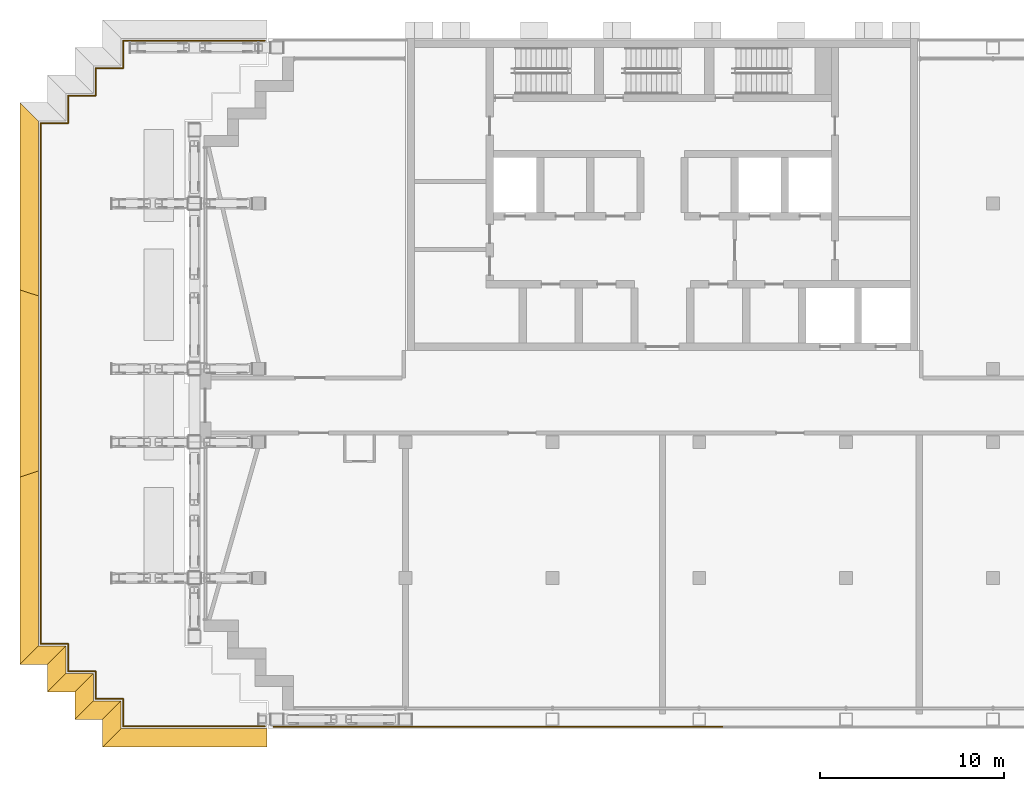
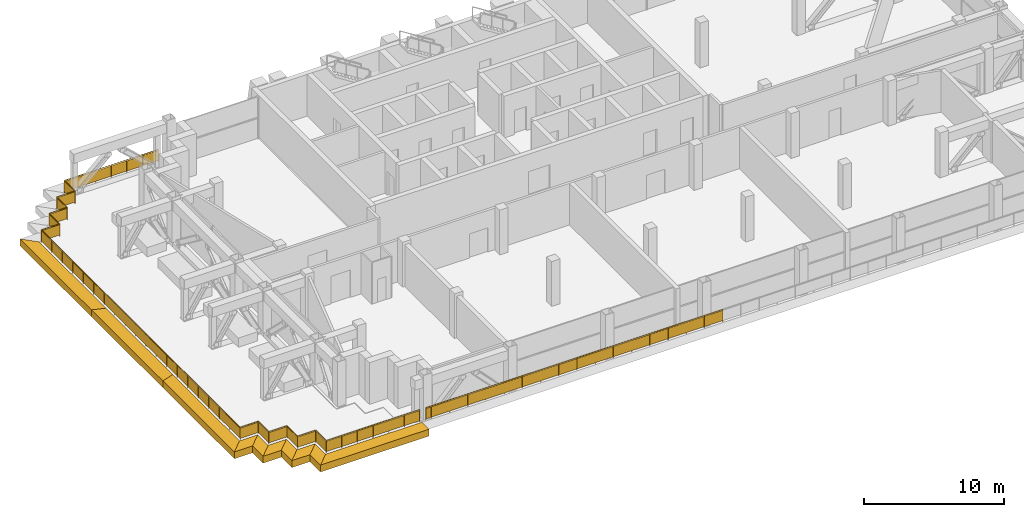
# One storey, part 18 of 21: 10 shading devices, 4 railings.
"""IFC4 building model written with IfcOpenShell, lengths in metres."""

from ifc_helpers import new_model, si_unit, direction, frame, origin, origin_2d, place, context, subcontext, project, spatial, polyline, rectangle, circle, outline, extrude, material, layer, layer_set, type_object, element, save


model = new_model("IFC4")

# Units and contexts
model_context = context("Model", 3, precision=1e-05, world=origin(), true_north=direction((0.0, 1.0)))
body_context = subcontext(model_context, "Body", "Model", "MODEL_VIEW")
ifc_project = project(units=[si_unit("LENGTHUNIT", "METRE"), si_unit("AREAUNIT", "SQUARE_METRE"), si_unit("VOLUMEUNIT", "CUBIC_METRE"), si_unit("PLANEANGLEUNIT", "RADIAN"), si_unit("MASSUNIT", "GRAM", prefix="KILO")], contexts=[model_context])

# Site, building, storey
site_placement = place(None, origin())
site = spatial("IfcSite", under=ifc_project, at=site_placement, CompositionType="ELEMENT")
building_placement = place(site_placement, origin())
building = spatial("IfcBuilding", under=site, at=building_placement, Name="Vidyagriha Tower", CompositionType="ELEMENT")
storey_placement = place(building_placement, frame((0.0, 0.0, 161.39990234375)))
storey = spatial("IfcBuildingStorey", under=building, at=storey_placement, Name="L41", CompositionType="ELEMENT", Elevation=161.39990234375)

# Shading devices
ifc_material_1 = material(Name="Precast concrete C40/50 with brick facing", Category="concrete")
ifc_layer = layer(ifc_material_1, 1.0)
ifc_layer_set = layer_set([ifc_layer], Name="Precast concrete C40/50 with brick facing")
shading_device_type = type_object("IfcShadingDeviceType", Name="Brick chhajja fascia 600", PredefinedType="USERDEFINED", material=ifc_layer_set)
shading_device_1_placement = place(storey_placement, frame((0.0, 0.0, -0.599853515625)))
element("IfcShadingDevice", 1, at=shading_device_1_placement, inside=storey, type_object=shading_device_type, Name="Chhajja fascia TR-B4-1 8", ObjectType="CHHAJJA", PredefinedType="USERDEFINED", context=body_context, shape_type="SweptSolid", body=[
    extrude(outline(polyline([(-34.0, 15.5), (-35.0, 16.5), (-35.0, 6.300048828125), (-34.0, 5.966796875), (-34.0, 15.5)])), origin(), (0.0, 0.0, 1.0), 0.599853515625),
])
shading_device_2_placement = place(storey_placement, frame((0.0, 0.0, -0.599853515625)))
element("IfcShadingDevice", 2, at=shading_device_2_placement, inside=storey, type_object=shading_device_type, Name="Chhajja fascia TR-B4-1 9", ObjectType="CHHAJJA", PredefinedType="USERDEFINED", context=body_context, shape_type="SweptSolid", body=[
    extrude(outline(polyline([(-34.0, 5.966796875), (-35.0, 6.300048828125), (-35.0, -3.89990234375), (-34.0, -3.566650390625), (-34.0, 5.966796875)])), origin(), (0.0, 0.0, 1.0), 0.599853515625),
])
shading_device_3_placement = place(storey_placement, frame((0.0, 0.0, -0.599853515625)))
element("IfcShadingDevice", 3, at=shading_device_3_placement, inside=storey, type_object=shading_device_type, Name="Chhajja fascia TR-B4-1 10", ObjectType="CHHAJJA", PredefinedType="USERDEFINED", context=body_context, shape_type="SweptSolid", body=[
    extrude(outline(polyline([(-34.0, -3.566650390625), (-35.0, -3.89990234375), (-35.0, -14.10009765625), (-34.0, -13.10009765625), (-34.0, -3.566650390625)])), origin(), (0.0, 0.0, 1.0), 0.599853515625),
])
shading_device_4_placement = place(storey_placement, frame((0.0, 0.0, -0.599853515625)))
element("IfcShadingDevice", 4, at=shading_device_4_placement, inside=storey, type_object=shading_device_type, Name="Chhajja fascia TR-B4-1 11", ObjectType="CHHAJJA", PredefinedType="USERDEFINED", context=body_context, shape_type="SweptSolid", body=[
    extrude(outline(polyline([(-34.0, -13.10009765625), (-35.0, -14.10009765625), (-33.5, -14.10009765625), (-32.5, -13.10009765625), (-34.0, -13.10009765625)])), origin(), (0.0, 0.0, 1.0), 0.599853515625),
])
shading_device_5_placement = place(storey_placement, frame((0.0, 0.0, -0.599853515625)))
element("IfcShadingDevice", 5, at=shading_device_5_placement, inside=storey, type_object=shading_device_type, Name="Chhajja fascia TR-B4-1 12", ObjectType="CHHAJJA", PredefinedType="USERDEFINED", context=body_context, shape_type="SweptSolid", body=[
    extrude(outline(polyline([(-32.5, -13.10009765625), (-33.5, -14.10009765625), (-33.5, -15.60009765625), (-32.5, -14.60009765625), (-32.5, -13.10009765625)])), origin(), (0.0, 0.0, 1.0), 0.599853515625),
])
shading_device_6_placement = place(storey_placement, frame((0.0, 0.0, -0.599853515625)))
element("IfcShadingDevice", 6, at=shading_device_6_placement, inside=storey, type_object=shading_device_type, Name="Chhajja fascia TR-B4-1 13", ObjectType="CHHAJJA", PredefinedType="USERDEFINED", context=body_context, shape_type="SweptSolid", body=[
    extrude(outline(polyline([(-32.5, -14.60009765625), (-33.5, -15.60009765625), (-32.0, -15.60009765625), (-31.0, -14.60009765625), (-32.5, -14.60009765625)])), origin(), (0.0, 0.0, 1.0), 0.599853515625),
])
shading_device_7_placement = place(storey_placement, frame((0.0, 0.0, -0.599853515625)))
element("IfcShadingDevice", 7, at=shading_device_7_placement, inside=storey, type_object=shading_device_type, Name="Chhajja fascia TR-B4-1 14", ObjectType="CHHAJJA", PredefinedType="USERDEFINED", context=body_context, shape_type="SweptSolid", body=[
    extrude(outline(polyline([(-31.0, -14.60009765625), (-32.0, -15.60009765625), (-32.0, -17.10009765625), (-31.0, -16.10009765625), (-31.0, -14.60009765625)])), origin(), (0.0, 0.0, 1.0), 0.599853515625),
])
shading_device_8_placement = place(storey_placement, frame((0.0, 0.0, -0.599853515625)))
element("IfcShadingDevice", 8, at=shading_device_8_placement, inside=storey, type_object=shading_device_type, Name="Chhajja fascia TR-B4-1 15", ObjectType="CHHAJJA", PredefinedType="USERDEFINED", context=body_context, shape_type="SweptSolid", body=[
    extrude(outline(polyline([(-31.0, -16.10009765625), (-32.0, -17.10009765625), (-30.5, -17.10009765625), (-29.5, -16.10009765625), (-31.0, -16.10009765625)])), origin(), (0.0, 0.0, 1.0), 0.599853515625),
])
shading_device_9_placement = place(storey_placement, frame((0.0, 0.0, -0.599853515625)))
element("IfcShadingDevice", 9, at=shading_device_9_placement, inside=storey, type_object=shading_device_type, Name="Chhajja fascia TR-B4-1 16", ObjectType="CHHAJJA", PredefinedType="USERDEFINED", context=body_context, shape_type="SweptSolid", body=[
    extrude(outline(polyline([(-29.5, -16.10009765625), (-30.5, -17.10009765625), (-30.5, -18.60009765625), (-29.5, -17.60009765625), (-29.5, -16.10009765625)])), origin(), (0.0, 0.0, 1.0), 0.599853515625),
])
shading_device_10_placement = place(storey_placement, frame((0.0, 0.0, -0.599853515625)))
element("IfcShadingDevice", 10, at=shading_device_10_placement, inside=storey, type_object=shading_device_type, Name="Chhajja fascia TR-B4-1 17", ObjectType="CHHAJJA", PredefinedType="USERDEFINED", context=body_context, shape_type="SweptSolid", body=[
    extrude(outline(polyline([(-29.5, -17.60009765625), (-30.5, -18.60009765625), (-21.550048828125, -18.60009765625), (-21.550048828125, -17.60009765625), (-29.5, -17.60009765625)])), origin(), (0.0, 0.0, 1.0), 0.599853515625),
])

# Railings
ifc_material_2 = material(Name="Steel ASTM A500 Grade C black painted", Category="steel")
railing_type_1 = type_object("IfcRailingType", Name="Gallery guard 1100", PredefinedType="GUARDRAIL", material=ifc_material_2)
for number, where, name in (
    (11, (3.27001953125, -17.5, 0.0), "Gallery guard L41 9"),
    (12, (-8.72998046875, -17.5, 0.0), "Gallery guard L41 10"),
):
    element("IfcRailing", number, at=place(storey_placement, frame(where)), inside=storey, type_object=railing_type_1, Name=name, PredefinedType="GUARDRAIL", context=body_context, shape_type="SweptSolid", body=[
        extrude(circle(Radius=0.02490234375, at=origin_2d()), frame((0.0, 0.0, 1.0751953125), z_axis=(-1.0, 0.0, 0.0), x_axis=(0.0, -1.0, 0.0)), (0.0, 0.0, 1.0), 12.0),
        extrude(circle(Radius=0.02001953125, at=origin_2d()), origin(), (0.0, 0.0, 1.0), 1.050048828125),
        extrude(circle(Radius=0.02001953125, at=origin_2d()), frame((-1.5, 0.0, 0.0)), (0.0, 0.0, 1.0), 1.050048828125),
        extrude(circle(Radius=0.02001953125, at=origin_2d()), frame((-3.0, 0.0, 0.0)), (0.0, 0.0, 1.0), 1.050048828125),
        extrude(circle(Radius=0.02001953125, at=origin_2d()), frame((-4.5, 0.0, 0.0)), (0.0, 0.0, 1.0), 1.050048828125),
        extrude(circle(Radius=0.02001953125, at=origin_2d()), frame((-6.0, 0.0, 0.0)), (0.0, 0.0, 1.0), 1.050048828125),
        extrude(circle(Radius=0.02001953125, at=origin_2d()), frame((-7.5, 0.0, 0.0)), (0.0, 0.0, 1.0), 1.050048828125),
        extrude(circle(Radius=0.02001953125, at=origin_2d()), frame((-9.0, 0.0, 0.0)), (0.0, 0.0, 1.0), 1.050048828125),
        extrude(circle(Radius=0.02001953125, at=origin_2d()), frame((-10.5, 0.0, 0.0)), (0.0, 0.0, 1.0), 1.050048828125),
        extrude(circle(Radius=0.02001953125, at=origin_2d()), frame((-12.0, 0.0, 0.0)), (0.0, 0.0, 1.0), 1.050048828125),
        extrude(rectangle(XDim=0.010009765625, YDim=0.900146484375, at=origin_2d()), frame((0.0, 0.0, 0.550048828125), z_axis=(-1.0, 0.0, 0.0), x_axis=(0.0, -1.0, 0.0)), (0.0, 0.0, 1.0), 12.0),
    ])
railing_1_placement = place(storey_placement, frame((-20.72998046875, -17.5, 0.0)))
element("IfcRailing", 13, at=railing_1_placement, inside=storey, type_object=railing_type_1, Name="Gallery guard L41 11", PredefinedType="GUARDRAIL", context=body_context, shape_type="SweptSolid", body=[
    extrude(circle(Radius=0.02490234375, at=origin_2d()), frame((0.0, 0.0, 1.0751953125), z_axis=(-1.0, 0.0, 0.0), x_axis=(0.0, -1.0, 0.0)), (0.0, 0.0, 1.0), 0.4599609375),
    extrude(circle(Radius=0.02001953125, at=origin_2d()), origin(), (0.0, 0.0, 1.0), 1.050048828125),
    extrude(circle(Radius=0.02001953125, at=origin_2d()), frame((-0.4599609375, 0.0, 0.0)), (0.0, 0.0, 1.0), 1.050048828125),
    extrude(rectangle(XDim=0.010009765625, YDim=0.900146484375, at=origin_2d()), frame((0.0, 0.0, 0.550048828125), z_axis=(-1.0, 0.0, 0.0), x_axis=(0.0, -1.0, 0.0)), (0.0, 0.0, 1.0), 0.4599609375),
])
ifc_material_3 = material(Name="Steel ASTM A500 Grade C black painted", Category="steel")
railing_type_2 = type_object("IfcRailingType", Name="Terrace guard 1100", PredefinedType="GUARDRAIL", material=ifc_material_3)
railing_2_placement = place(storey_placement, frame((-21.669921875, -17.47998046875, 0.0)))
element("IfcRailing", 14, at=railing_2_placement, inside=storey, type_object=railing_type_2, Name="Terrace guard TR-B4-1 1", PredefinedType="GUARDRAIL", context=body_context, shape_type="SweptSolid", body=[
    extrude(circle(Radius=0.02490234375, at=origin_2d()), frame((0.0, 0.0, 1.0751953125), z_axis=(-1.0, 0.0, 0.0), x_axis=(0.0, -1.0, 0.0)), (0.0, 0.0, 1.0), 7.7099609375),
    extrude(circle(Radius=0.02490234375, at=origin_2d()), frame((-7.7099609375, 0.0, 1.0751953125), z_axis=(0.0, 1.0, 0.0), x_axis=(-1.0, 0.0, 0.0)), (0.0, 0.0, 1.0), 1.5),
    extrude(circle(Radius=0.02490234375, at=origin_2d()), frame((-7.7099609375, 1.5, 1.0751953125), z_axis=(-1.0, 0.0, 0.0), x_axis=(0.0, -1.0, 0.0)), (0.0, 0.0, 1.0), 1.5),
    extrude(circle(Radius=0.02490234375, at=origin_2d()), frame((-9.2099609375, 1.5, 1.0751953125), z_axis=(0.0, 1.0, 0.0), x_axis=(-1.0, 0.0, 0.0)), (0.0, 0.0, 1.0), 1.5),
    extrude(circle(Radius=0.02490234375, at=origin_2d()), frame((-9.2099609375, 3.0, 1.0751953125), z_axis=(-1.0, 0.0, 0.0), x_axis=(0.0, -1.0, 0.0)), (0.0, 0.0, 1.0), 1.5),
    extrude(circle(Radius=0.02490234375, at=origin_2d()), frame((-10.7099609375, 3.0, 1.0751953125), z_axis=(0.0, 1.0, 0.0), x_axis=(-1.0, 0.0, 0.0)), (0.0, 0.0, 1.0), 1.5),
    extrude(circle(Radius=0.02490234375, at=origin_2d()), frame((-10.7099609375, 4.5, 1.0751953125), z_axis=(-1.0, 0.0, 0.0), x_axis=(0.0, -1.0, 0.0)), (0.0, 0.0, 1.0), 1.5),
    extrude(circle(Radius=0.02490234375, at=origin_2d()), frame((-12.2099609375, 4.5, 1.0751953125), z_axis=(0.0, 1.0, 0.0), x_axis=(-1.0, 0.0, 0.0)), (0.0, 0.0, 1.0), 28.35986328125),
    extrude(circle(Radius=0.02490234375, at=origin_2d()), frame((-12.2099609375, 32.85986328125, 1.0751953125), z_axis=(1.0, 0.0, 0.0), x_axis=(0.0, 1.0, 0.0)), (0.0, 0.0, 1.0), 1.5),
    extrude(circle(Radius=0.02490234375, at=origin_2d()), frame((-10.7099609375, 32.85986328125, 1.0751953125), z_axis=(0.0, 1.0, 0.0), x_axis=(-1.0, 0.0, 0.0)), (0.0, 0.0, 1.0), 1.5),
    extrude(circle(Radius=0.02490234375, at=origin_2d()), frame((-10.7099609375, 34.35986328125, 1.0751953125), z_axis=(1.0, 0.0, 0.0), x_axis=(0.0, 1.0, 0.0)), (0.0, 0.0, 1.0), 1.5),
    extrude(circle(Radius=0.02490234375, at=origin_2d()), frame((-9.2099609375, 34.35986328125, 1.0751953125), z_axis=(0.0, 1.0, 0.0), x_axis=(-1.0, 0.0, 0.0)), (0.0, 0.0, 1.0), 1.5),
    extrude(circle(Radius=0.02490234375, at=origin_2d()), frame((-9.2099609375, 35.85986328125, 1.0751953125), z_axis=(1.0, 0.0, 0.0), x_axis=(0.0, 1.0, 0.0)), (0.0, 0.0, 1.0), 1.5),
    extrude(circle(Radius=0.02490234375, at=origin_2d()), frame((-7.7099609375, 35.85986328125, 1.0751953125), z_axis=(0.0, 1.0, 0.0), x_axis=(-1.0, 0.0, 0.0)), (0.0, 0.0, 1.0), 1.5),
    extrude(circle(Radius=0.02490234375, at=origin_2d()), frame((-7.7099609375, 37.35986328125, 1.0751953125), z_axis=(1.0, 0.0, 0.0), x_axis=(0.0, 1.0, 0.0)), (0.0, 0.0, 1.0), 7.7099609375),
    extrude(circle(Radius=0.02001953125, at=origin_2d()), origin(), (0.0, 0.0, 1.0), 1.050048828125),
    extrude(circle(Radius=0.02001953125, at=origin_2d()), frame((-1.284912109375, 0.0, 0.0)), (0.0, 0.0, 1.0), 1.050048828125),
    extrude(circle(Radius=0.02001953125, at=origin_2d()), frame((-2.570068359375, 0.0, 0.0)), (0.0, 0.0, 1.0), 1.050048828125),
    extrude(circle(Radius=0.02001953125, at=origin_2d()), frame((-3.85498046875, 0.0, 0.0)), (0.0, 0.0, 1.0), 1.050048828125),
    extrude(circle(Radius=0.02001953125, at=origin_2d()), frame((-5.139892578125, 0.0, 0.0)), (0.0, 0.0, 1.0), 1.050048828125),
    extrude(circle(Radius=0.02001953125, at=origin_2d()), frame((-6.425048828125, 0.0, 0.0)), (0.0, 0.0, 1.0), 1.050048828125),
    extrude(circle(Radius=0.02001953125, at=origin_2d()), frame((-7.7099609375, 0.0, 0.0)), (0.0, 0.0, 1.0), 1.050048828125),
    extrude(circle(Radius=0.02001953125, at=origin_2d()), frame((-7.7099609375, 1.5, 0.0)), (0.0, 0.0, 1.0), 1.050048828125),
    extrude(circle(Radius=0.02001953125, at=origin_2d()), frame((-9.2099609375, 1.5, 0.0)), (0.0, 0.0, 1.0), 1.050048828125),
    extrude(circle(Radius=0.02001953125, at=origin_2d()), frame((-9.2099609375, 3.0, 0.0)), (0.0, 0.0, 1.0), 1.050048828125),
    extrude(circle(Radius=0.02001953125, at=origin_2d()), frame((-10.7099609375, 3.0, 0.0)), (0.0, 0.0, 1.0), 1.050048828125),
    extrude(circle(Radius=0.02001953125, at=origin_2d()), frame((-10.7099609375, 4.5, 0.0)), (0.0, 0.0, 1.0), 1.050048828125),
    extrude(circle(Radius=0.02001953125, at=origin_2d()), frame((-12.2099609375, 4.5, 0.0)), (0.0, 0.0, 1.0), 1.050048828125),
    extrude(circle(Radius=0.02001953125, at=origin_2d()), frame((-12.2099609375, 5.99267578125, 0.0)), (0.0, 0.0, 1.0), 1.050048828125),
    extrude(circle(Radius=0.02001953125, at=origin_2d()), frame((-12.2099609375, 7.4853515625, 0.0)), (0.0, 0.0, 1.0), 1.050048828125),
    extrude(circle(Radius=0.02001953125, at=origin_2d()), frame((-12.2099609375, 8.977783203125, 0.0)), (0.0, 0.0, 1.0), 1.050048828125),
    extrude(circle(Radius=0.02001953125, at=origin_2d()), frame((-12.2099609375, 10.470458984375, 0.0)), (0.0, 0.0, 1.0), 1.050048828125),
    extrude(circle(Radius=0.02001953125, at=origin_2d()), frame((-12.2099609375, 11.963134765625, 0.0)), (0.0, 0.0, 1.0), 1.050048828125),
    extrude(circle(Radius=0.02001953125, at=origin_2d()), frame((-12.2099609375, 13.455810546875, 0.0)), (0.0, 0.0, 1.0), 1.050048828125),
    extrude(circle(Radius=0.02001953125, at=origin_2d()), frame((-12.2099609375, 14.948486328125, 0.0)), (0.0, 0.0, 1.0), 1.050048828125),
    extrude(circle(Radius=0.02001953125, at=origin_2d()), frame((-12.2099609375, 16.44091796875, 0.0)), (0.0, 0.0, 1.0), 1.050048828125),
    extrude(circle(Radius=0.02001953125, at=origin_2d()), frame((-12.2099609375, 17.93359375, 0.0)), (0.0, 0.0, 1.0), 1.050048828125),
    extrude(circle(Radius=0.02001953125, at=origin_2d()), frame((-12.2099609375, 19.42626953125, 0.0)), (0.0, 0.0, 1.0), 1.050048828125),
    extrude(circle(Radius=0.02001953125, at=origin_2d()), frame((-12.2099609375, 20.9189453125, 0.0)), (0.0, 0.0, 1.0), 1.050048828125),
    extrude(circle(Radius=0.02001953125, at=origin_2d()), frame((-12.2099609375, 22.411376953125, 0.0)), (0.0, 0.0, 1.0), 1.050048828125),
    extrude(circle(Radius=0.02001953125, at=origin_2d()), frame((-12.2099609375, 23.904052734375, 0.0)), (0.0, 0.0, 1.0), 1.050048828125),
    extrude(circle(Radius=0.02001953125, at=origin_2d()), frame((-12.2099609375, 25.396728515625, 0.0)), (0.0, 0.0, 1.0), 1.050048828125),
    extrude(circle(Radius=0.02001953125, at=origin_2d()), frame((-12.2099609375, 26.889404296875, 0.0)), (0.0, 0.0, 1.0), 1.050048828125),
    extrude(circle(Radius=0.02001953125, at=origin_2d()), frame((-12.2099609375, 28.382080078125, 0.0)), (0.0, 0.0, 1.0), 1.050048828125),
    extrude(circle(Radius=0.02001953125, at=origin_2d()), frame((-12.2099609375, 29.87451171875, 0.0)), (0.0, 0.0, 1.0), 1.050048828125),
    extrude(circle(Radius=0.02001953125, at=origin_2d()), frame((-12.2099609375, 31.3671875, 0.0)), (0.0, 0.0, 1.0), 1.050048828125),
    extrude(circle(Radius=0.02001953125, at=origin_2d()), frame((-12.2099609375, 32.85986328125, 0.0)), (0.0, 0.0, 1.0), 1.050048828125),
    extrude(circle(Radius=0.02001953125, at=origin_2d()), frame((-10.7099609375, 32.85986328125, 0.0)), (0.0, 0.0, 1.0), 1.050048828125),
    extrude(circle(Radius=0.02001953125, at=origin_2d()), frame((-10.7099609375, 34.35986328125, 0.0)), (0.0, 0.0, 1.0), 1.050048828125),
    extrude(circle(Radius=0.02001953125, at=origin_2d()), frame((-9.2099609375, 34.35986328125, 0.0)), (0.0, 0.0, 1.0), 1.050048828125),
    extrude(circle(Radius=0.02001953125, at=origin_2d()), frame((-9.2099609375, 35.85986328125, 0.0)), (0.0, 0.0, 1.0), 1.050048828125),
    extrude(circle(Radius=0.02001953125, at=origin_2d()), frame((-7.7099609375, 35.85986328125, 0.0)), (0.0, 0.0, 1.0), 1.050048828125),
    extrude(circle(Radius=0.02001953125, at=origin_2d()), frame((-7.7099609375, 37.35986328125, 0.0)), (0.0, 0.0, 1.0), 1.050048828125),
    extrude(circle(Radius=0.02001953125, at=origin_2d()), frame((-6.425048828125, 37.35986328125, 0.0)), (0.0, 0.0, 1.0), 1.050048828125),
    extrude(circle(Radius=0.02001953125, at=origin_2d()), frame((-5.139892578125, 37.35986328125, 0.0)), (0.0, 0.0, 1.0), 1.050048828125),
    extrude(circle(Radius=0.02001953125, at=origin_2d()), frame((-3.85498046875, 37.35986328125, 0.0)), (0.0, 0.0, 1.0), 1.050048828125),
    extrude(circle(Radius=0.02001953125, at=origin_2d()), frame((-2.570068359375, 37.35986328125, 0.0)), (0.0, 0.0, 1.0), 1.050048828125),
    extrude(circle(Radius=0.02001953125, at=origin_2d()), frame((-1.284912109375, 37.35986328125, 0.0)), (0.0, 0.0, 1.0), 1.050048828125),
    extrude(circle(Radius=0.02001953125, at=origin_2d()), frame((0.0, 37.35986328125, 0.0)), (0.0, 0.0, 1.0), 1.050048828125),
    extrude(rectangle(XDim=0.010009765625, YDim=0.900146484375, at=origin_2d()), frame((0.0, 0.0, 0.550048828125), z_axis=(-1.0, 0.0, 0.0), x_axis=(0.0, -1.0, 0.0)), (0.0, 0.0, 1.0), 7.7099609375),
    extrude(rectangle(XDim=0.010009765625, YDim=0.900146484375, at=origin_2d()), frame((-7.7099609375, 0.0, 0.550048828125), z_axis=(0.0, 1.0, 0.0), x_axis=(-1.0, 0.0, 0.0)), (0.0, 0.0, 1.0), 1.5),
    extrude(rectangle(XDim=0.010009765625, YDim=0.900146484375, at=origin_2d()), frame((-7.7099609375, 1.5, 0.550048828125), z_axis=(-1.0, 0.0, 0.0), x_axis=(0.0, -1.0, 0.0)), (0.0, 0.0, 1.0), 1.5),
    extrude(rectangle(XDim=0.010009765625, YDim=0.900146484375, at=origin_2d()), frame((-9.2099609375, 1.5, 0.550048828125), z_axis=(0.0, 1.0, 0.0), x_axis=(-1.0, 0.0, 0.0)), (0.0, 0.0, 1.0), 1.5),
    extrude(rectangle(XDim=0.010009765625, YDim=0.900146484375, at=origin_2d()), frame((-9.2099609375, 3.0, 0.550048828125), z_axis=(-1.0, 0.0, 0.0), x_axis=(0.0, -1.0, 0.0)), (0.0, 0.0, 1.0), 1.5),
    extrude(rectangle(XDim=0.010009765625, YDim=0.900146484375, at=origin_2d()), frame((-10.7099609375, 3.0, 0.550048828125), z_axis=(0.0, 1.0, 0.0), x_axis=(-1.0, 0.0, 0.0)), (0.0, 0.0, 1.0), 1.5),
    extrude(rectangle(XDim=0.010009765625, YDim=0.900146484375, at=origin_2d()), frame((-10.7099609375, 4.5, 0.550048828125), z_axis=(-1.0, 0.0, 0.0), x_axis=(0.0, -1.0, 0.0)), (0.0, 0.0, 1.0), 1.5),
    extrude(rectangle(XDim=0.010009765625, YDim=0.900146484375, at=origin_2d()), frame((-12.2099609375, 4.5, 0.550048828125), z_axis=(0.0, 1.0, 0.0), x_axis=(-1.0, 0.0, 0.0)), (0.0, 0.0, 1.0), 28.35986328125),
    extrude(rectangle(XDim=0.010009765625, YDim=0.900146484375, at=origin_2d()), frame((-12.2099609375, 32.85986328125, 0.550048828125), z_axis=(1.0, 0.0, 0.0), x_axis=(0.0, 1.0, 0.0)), (0.0, 0.0, 1.0), 1.5),
    extrude(rectangle(XDim=0.010009765625, YDim=0.900146484375, at=origin_2d()), frame((-10.7099609375, 32.85986328125, 0.550048828125), z_axis=(0.0, 1.0, 0.0), x_axis=(-1.0, 0.0, 0.0)), (0.0, 0.0, 1.0), 1.5),
    extrude(rectangle(XDim=0.010009765625, YDim=0.900146484375, at=origin_2d()), frame((-10.7099609375, 34.35986328125, 0.550048828125), z_axis=(1.0, 0.0, 0.0), x_axis=(0.0, 1.0, 0.0)), (0.0, 0.0, 1.0), 1.5),
    extrude(rectangle(XDim=0.010009765625, YDim=0.900146484375, at=origin_2d()), frame((-9.2099609375, 34.35986328125, 0.550048828125), z_axis=(0.0, 1.0, 0.0), x_axis=(-1.0, 0.0, 0.0)), (0.0, 0.0, 1.0), 1.5),
    extrude(rectangle(XDim=0.010009765625, YDim=0.900146484375, at=origin_2d()), frame((-9.2099609375, 35.85986328125, 0.550048828125), z_axis=(1.0, 0.0, 0.0), x_axis=(0.0, 1.0, 0.0)), (0.0, 0.0, 1.0), 1.5),
    extrude(rectangle(XDim=0.010009765625, YDim=0.900146484375, at=origin_2d()), frame((-7.7099609375, 35.85986328125, 0.550048828125), z_axis=(0.0, 1.0, 0.0), x_axis=(-1.0, 0.0, 0.0)), (0.0, 0.0, 1.0), 1.5),
    extrude(rectangle(XDim=0.010009765625, YDim=0.900146484375, at=origin_2d()), frame((-7.7099609375, 37.35986328125, 0.550048828125), z_axis=(1.0, 0.0, 0.0), x_axis=(0.0, 1.0, 0.0)), (0.0, 0.0, 1.0), 7.7099609375),
])

save(model, "model.ifc")
